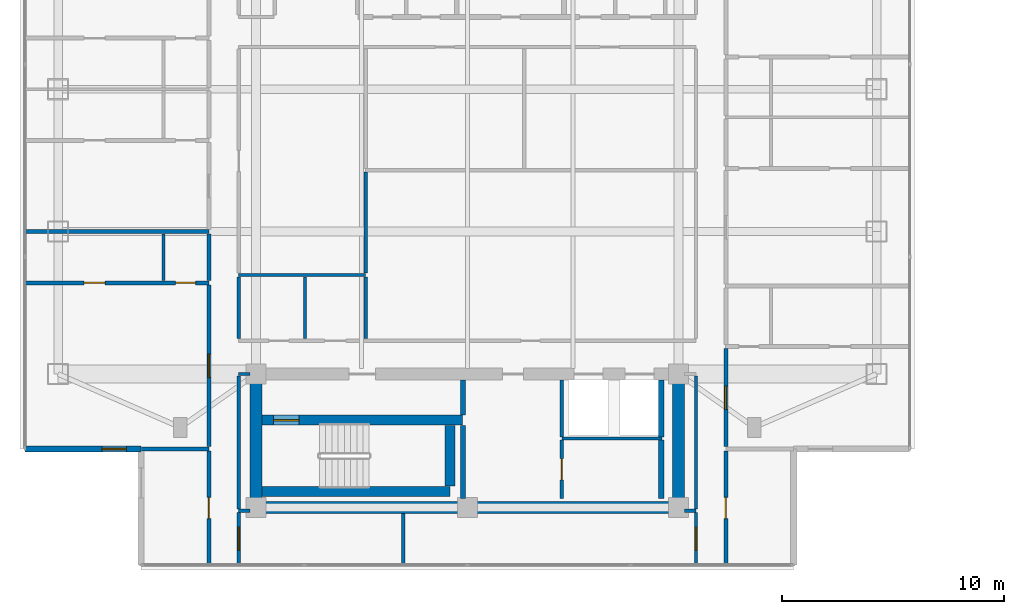
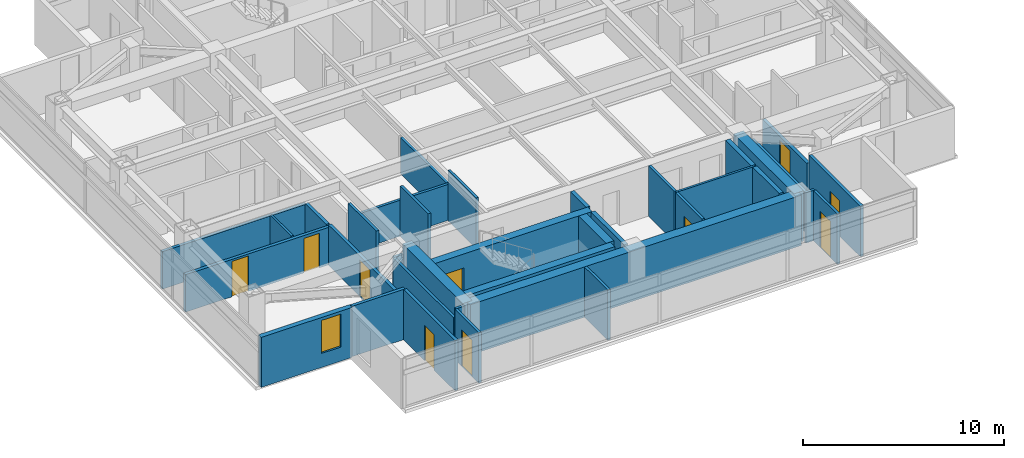
# One storey, part 12 of 24: 36 walls, 10 doors, 1 window, 11 openings.
"""IFC4 building model written with IfcOpenShell, lengths in metres."""

from ifc_helpers import new_model, si_unit, direction, frame, frame_2d, origin, place, context, subcontext, project, spatial, rectangle, extrude, material, layer, layer_set, type_object, element, fill, save


model = new_model("IFC4")

# Units and contexts
model_context = context("Model", 3, precision=1e-05, world=origin(), true_north=direction((0.0, 1.0)))
body_context = subcontext(model_context, "Body", "Model", "MODEL_VIEW")
ifc_project = project(units=[si_unit("LENGTHUNIT", "METRE"), si_unit("AREAUNIT", "SQUARE_METRE"), si_unit("VOLUMEUNIT", "CUBIC_METRE"), si_unit("PLANEANGLEUNIT", "RADIAN"), si_unit("MASSUNIT", "GRAM", prefix="KILO")], contexts=[model_context])

# Site, building, storey
site_placement = place(None, origin())
site = spatial("IfcSite", under=ifc_project, at=site_placement, CompositionType="ELEMENT")
building_placement = place(site_placement, origin())
building = spatial("IfcBuilding", under=site, at=building_placement, Name="Mirazonda Arch Towers", CompositionType="ELEMENT")
storey_placement = place(building_placement, frame((0.0, 0.0, 190.14990234375)))
storey = spatial("IfcBuildingStorey", under=building, at=storey_placement, Name="L54", CompositionType="ELEMENT", Elevation=190.14990234375)

# Wall
ifc_material_1 = material(Name="Concrete C50/60", Category="concrete")
ifc_layer_1 = layer(ifc_material_1, 0.449951171875, Name="WALL-CORE-450")
ifc_layer_set_1 = layer_set([ifc_layer_1], Name="Concrete C50/60")
wall_type_1 = type_object("IfcWallType", Name="WALL-CORE-450", PredefinedType="SHEAR", material=ifc_layer_set_1)
wall_1_placement = place(storey_placement, frame((11.27001953125, 13.1201171875, 0.0), z_axis=(0.0, 0.0, 1.0), x_axis=(1.0, 0.0, 0.0)))
element("IfcWall", 1, at=wall_1_placement, inside=storey, type_object=wall_type_1, Name="L54 Stair Core Shear Wall 003", PredefinedType="SHEAR", context=body_context, shape_type="SweptSolid", body=[
    extrude(rectangle(XDim=8.4599609375, YDim=0.449951171875, at=frame_2d((4.22998046875, 0.0))), origin(), (0.0, 0.0, 1.0), 3.050048828125),
])

# Wall, opening, door
wall_2_placement = place(storey_placement, frame((11.27001953125, 16.320068359375, 0.0), z_axis=(0.0, 0.0, 1.0), x_axis=(1.0, 0.0, 0.0)))
wall_2 = element("IfcWall", 2, at=wall_2_placement, inside=storey, type_object=wall_type_1, Name="L54 Stair Core Shear Wall 007", PredefinedType="SHEAR", context=body_context, shape_type="SweptSolid", body=[
    extrude(rectangle(XDim=9.010009765625, YDim=0.449951171875, at=frame_2d((4.5048828125, 0.0))), origin(), (0.0, 0.0, 1.0), 3.050048828125),
])
opening_1_placement = place(wall_2_placement, frame((0.52001953125, 0.0, 0.0)))
opening_1 = element("IfcOpeningElement", 3, at=opening_1_placement, cuts=wall_2, Name="Opening DR-135", PredefinedType="OPENING", context=body_context, shape_type="SweptSolid", body=[
    extrude(rectangle(XDim=1.14990234375, YDim=2.199951171875, at=frame_2d((0.574951171875, 1.10009765625))), frame((0.0, 0.23486328125, 0.0), z_axis=(0.0, -1.0, 0.0), x_axis=(1.0, 0.0, 0.0)), (0.0, 0.0, 1.0), 0.469970703125),
])
ifc_material_2 = material(Name="Architectural Brushed Steel S355", Category="steel")
door_type_1 = type_object("IfcDoorType", Name="DOOR-STAIR-FD90-1150", OperationType="NOTDEFINED", PredefinedType="DOOR", material=ifc_material_2)
door_1_placement = place(opening_1_placement, origin())
door_1 = element("IfcDoor", 4, at=door_1_placement, inside=storey, type_object=door_type_1, Name="L54 Protected Exit Stair South Door", OperationType="SINGLE_SWING_LEFT", OverallHeight=2.199951171875, OverallWidth=1.14990234375, PredefinedType="DOOR", context=body_context, shape_type="SweptSolid", body=[
    extrude(rectangle(XDim=1.14990234375, YDim=2.199951171875, at=frame_2d((0.574951171875, 1.10009765625))), frame((0.0, 0.02490234375, 0.0), z_axis=(0.0, -1.0, 0.0), x_axis=(1.0, 0.0, 0.0)), (0.0, 0.0, 1.0), 0.050048828125),
])
fill(opening_1, door_1)

# Walls
wall_3_placement = place(storey_placement, frame((19.72998046875, 13.35498046875, 0.0), z_axis=(0.0, 0.0, 1.0), x_axis=(0.0, 1.0, 0.0)))
element("IfcWall", 5, at=wall_3_placement, inside=storey, type_object=wall_type_1, Name="L54 Stair Core Shear Wall 085", PredefinedType="SHEAR", context=body_context, shape_type="SweptSolid", body=[
    extrude(rectangle(XDim=2.72998046875, YDim=0.449951171875, at=frame_2d((1.364990234375, 0.0))), origin(), (0.0, 0.0, 1.0), 3.050048828125),
])
ifc_layer_2 = layer(ifc_material_1, 0.550048828125, Name="WALL-CORE-550")
ifc_layer_set_2 = layer_set([ifc_layer_2], Name="Concrete C50/60")
wall_type_2 = type_object("IfcWallType", Name="WALL-CORE-550", PredefinedType="SHEAR", material=ifc_layer_set_2)
wall_4_placement = place(storey_placement, frame((11.0, 12.39990234375, 0.0), z_axis=(0.0, 0.0, 1.0), x_axis=(1.0, 0.0, 0.0)))
element("IfcWall", 6, at=wall_4_placement, inside=storey, type_object=wall_type_2, Name="L54 T1S-S Core Shear Wall", PredefinedType="SHEAR", context=body_context, shape_type="SweptSolid", body=[
    extrude(rectangle(XDim=19.0, YDim=0.550048828125, at=frame_2d((9.5, 0.0))), origin(), (0.0, 0.0, 1.0), 3.050048828125),
])
for number, where, z_axis, x_axis, name in (
    (7, (11.0, 12.39990234375, 0.0), (0.0, 0.0, 1.0), (0.0, 1.0, 0.0), "L54 T1S-W Core Shear Wall"),
    (8, (30.0, 12.39990234375, 0.0), (0.0, 0.0, 1.0), (0.0, 1.0, 0.0), "L54 T1S-E Core Shear Wall"),
):
    element("IfcWall", number, at=place(storey_placement, frame(where, z_axis=z_axis, x_axis=x_axis)), inside=storey, type_object=wall_type_2, Name=name, PredefinedType="SHEAR", context=body_context, shape_type="SweptSolid", body=[
        extrude(rectangle(XDim=6.0, YDim=0.550048828125, at=frame_2d((3.0, 0.0))), origin(), (0.0, 0.0, 1.0), 3.050048828125),
    ])

# Wall, opening, window
ifc_material_3 = material(Name="Precast Concrete C40/50", Category="concrete")
ifc_layer_3 = layer(ifc_material_3, 0.280029296875, Name="WALL-EXT-WALL-280")
ifc_layer_set_3 = layer_set([ifc_layer_3], Name="Precast Concrete C40/50")
wall_type_3 = type_object("IfcWallType", Name="WALL-EXT-WALL-280", PredefinedType="SOLIDWALL", material=ifc_layer_set_3)
wall_5_placement = place(storey_placement, frame((0.610107421875, 15.029052734375, 0.0), z_axis=(0.0, 0.0, 1.0), x_axis=(1.0, 0.0, 0.0)))
wall_5 = element("IfcWall", 9, at=wall_5_placement, inside=storey, type_object=wall_type_3, Name="L54 T1 Corner Notch Return Wall WL-L54-T1-CSW2", PredefinedType="SOLIDWALL", context=body_context, shape_type="SweptSolid", body=[
    extrude(rectangle(XDim=5.21484375, YDim=0.280029296875, at=frame_2d((2.607421875, 0.0))), origin(), (0.0, 0.0, 1.0), 3.030029296875),
])
opening_2_placement = place(wall_5_placement, frame((3.465087890625, 0.0, 0.85009765625)))
opening_2 = element("IfcOpeningElement", 10, at=opening_2_placement, cuts=wall_5, Name="Opening WN-108", PredefinedType="OPENING", context=body_context, shape_type="SweptSolid", body=[
    extrude(rectangle(XDim=1.10009765625, YDim=2.0, at=frame_2d((0.550048828125, 1.0))), frame((0.0, 0.14990234375, 0.0), z_axis=(0.0, -1.0, 0.0), x_axis=(1.0, 0.0, 0.0)), (0.0, 0.0, 1.0), 0.300048828125),
])
ifc_material_4 = material(Name="Insulated Low-E Solar Glass", Category="glass")
window_type = type_object("IfcWindowType", Name="WIN-NOTCH-1100x2000", PartitioningType="SINGLE_PANEL", PredefinedType="WINDOW", material=ifc_material_4)
window_placement = place(opening_2_placement, origin())
window = element("IfcWindow", 11, at=window_placement, inside=storey, type_object=window_type, Name="L54 Punched Facade Window WN-L54-T1-CSW2", OverallHeight=2.0, OverallWidth=1.10009765625, PartitioningType="SINGLE_PANEL", PredefinedType="WINDOW", context=body_context, shape_type="SweptSolid", body=[
    extrude(rectangle(XDim=1.10009765625, YDim=2.0, at=frame_2d((0.550048828125, 1.0))), frame((0.0, 0.030029296875, 0.0), z_axis=(0.0, -1.0, 0.0), x_axis=(1.0, 0.0, 0.0)), (0.0, 0.0, 1.0), 0.06005859375),
])
fill(opening_2, window)

# Walls
ifc_material_5 = material(Name="Concrete C40/50", Category="concrete")
ifc_layer_4 = layer(ifc_material_5, 0.219970703125, Name="WALL-FFL-220")
ifc_layer_set_4 = layer_set([ifc_layer_4], Name="Concrete C40/50")
wall_type_4 = type_object("IfcWallType", Name="WALL-FFL-220", PredefinedType="SOLIDWALL", material=ifc_layer_set_4)
wall_6_placement = place(storey_placement, frame((20.31494140625, 12.800048828125, 0.0), z_axis=(0.0, 0.0, 1.0), x_axis=(0.0, 1.0, 0.0)))
element("IfcWall", 12, at=wall_6_placement, inside=storey, type_object=wall_type_4, Name="L54 Interior Partition 087", PredefinedType="SOLIDWALL", context=body_context, shape_type="SweptSolid", body=[
    extrude(rectangle(XDim=3.284912109375, YDim=0.219970703125, at=frame_2d((1.642578125, 0.0))), origin(), (0.0, 0.0, 1.0), 3.050048828125),
])
wall_7_placement = place(storey_placement, frame((20.31494140625, 16.554931640625, 0.0), z_axis=(0.0, 0.0, 1.0), x_axis=(0.0, 1.0, 0.0)))
element("IfcWall", 13, at=wall_7_placement, inside=storey, type_object=wall_type_4, Name="L54 Interior Partition 088", PredefinedType="SOLIDWALL", context=body_context, shape_type="SweptSolid", body=[
    extrude(rectangle(XDim=1.574951171875, YDim=0.219970703125, at=frame_2d((0.78759765625, 0.0))), origin(), (0.0, 0.0, 1.0), 3.050048828125),
])
ifc_material_6 = material(Name="Fire-Rated Gypsum Stud Partition")
ifc_layer_5 = layer(ifc_material_6, 0.14990234375, Name="WALL-PART-CORR-150")
ifc_layer_set_5 = layer_set([ifc_layer_5], Name="Fire-Rated Gypsum Stud Partition")
wall_type_5 = type_object("IfcWallType", Name="WALL-PART-CORR-150", PredefinedType="PARTITIONING", material=ifc_layer_set_5)
for number, where, z_axis, x_axis, name in (
    (14, (10.219970703125, 12.25, 0.0), (0.0, 0.0, 1.0), (1.0, 0.0, 0.0), "L54 Interior Partition 001"),
    (15, (30.27001953125, 12.25, 0.0), (0.0, 0.0, 1.0), (1.0, 0.0, 0.0), "L54 Interior Partition 002"),
):
    element("IfcWall", number, at=place(storey_placement, frame(where, z_axis=z_axis, x_axis=x_axis)), inside=storey, type_object=wall_type_5, Name=name, PredefinedType="PARTITIONING", context=body_context, shape_type="SweptSolid", body=[
        extrude(rectangle(XDim=0.510009765625, YDim=0.14990234375, at=frame_2d((0.2548828125, 0.0))), origin(), (0.0, 0.0, 1.0), 3.050048828125),
    ])
wall_8_placement = place(storey_placement, frame((10.219970703125, 18.39990234375, 0.0), z_axis=(0.0, 0.0, 1.0), x_axis=(1.0, 0.0, 0.0)))
element("IfcWall", 16, at=wall_8_placement, inside=storey, type_object=wall_type_5, Name="L54 Interior Partition 011", PredefinedType="PARTITIONING", context=body_context, shape_type="SweptSolid", body=[
    extrude(rectangle(XDim=0.510009765625, YDim=0.14990234375, at=frame_2d((0.2548828125, 0.0))), origin(), (0.0, 0.0, 1.0), 2.442138671875),
])
wall_9_placement = place(storey_placement, frame((10.219970703125, 22.85009765625, 0.0), z_axis=(0.0, 0.0, 1.0), x_axis=(1.0, 0.0, 0.0)))
element("IfcWall", 17, at=wall_9_placement, inside=storey, type_object=wall_type_5, Name="L54 Interior Partition 024", PredefinedType="PARTITIONING", context=body_context, shape_type="SweptSolid", body=[
    extrude(rectangle(XDim=5.7099609375, YDim=0.14990234375, at=frame_2d((2.85498046875, 0.0))), origin(), (0.0, 0.0, 1.0), 2.18603515625),
])

# Wall, opening, door
wall_10_placement = place(storey_placement, frame((10.219970703125, 9.81396484375, 0.0), z_axis=(0.0, 0.0, 1.0), x_axis=(0.0, 1.0, 0.0)))
wall_10 = element("IfcWall", 18, at=wall_10_placement, inside=storey, type_object=wall_type_5, Name="L54 Interior Partition 071", PredefinedType="PARTITIONING", context=body_context, shape_type="SweptSolid", body=[
    extrude(rectangle(XDim=2.35107421875, YDim=0.14990234375, at=frame_2d((1.175537109375, 0.0))), origin(), (0.0, 0.0, 1.0), 3.050048828125),
])
opening_3_placement = place(wall_10_placement, frame((0.650390625, 0.0, 0.0)))
opening_3 = element("IfcOpeningElement", 19, at=opening_3_placement, cuts=wall_10, Name="Opening DR-121", PredefinedType="OPENING", context=body_context, shape_type="SweptSolid", body=[
    extrude(rectangle(XDim=1.050048828125, YDim=2.199951171875, at=frame_2d((0.52490234375, 1.10009765625))), frame((0.0, 0.0849609375, 0.0), z_axis=(0.0, -1.0, 0.0), x_axis=(1.0, 0.0, 0.0)), (0.0, 0.0, 1.0), 0.169921875),
])
door_type_2 = type_object("IfcDoorType", Name="DOOR-SUITE-FD60-1050", OperationType="NOTDEFINED", PredefinedType="DOOR", material=ifc_material_2)
door_2_placement = place(opening_3_placement, origin())
door_2 = element("IfcDoor", 20, at=door_2_placement, inside=storey, type_object=door_type_2, Name="L54 South Horizon Lounge Minor Door", OperationType="SINGLE_SWING_RIGHT", OverallHeight=2.199951171875, OverallWidth=1.050048828125, PredefinedType="DOOR", context=body_context, shape_type="SweptSolid", body=[
    extrude(rectangle(XDim=1.050048828125, YDim=2.199951171875, at=frame_2d((0.52490234375, 1.10009765625))), frame((0.0, 0.02490234375, 0.0), z_axis=(0.0, -1.0, 0.0), x_axis=(1.0, 0.0, 0.0)), (0.0, 0.0, 1.0), 0.050048828125),
])
fill(opening_3, door_2)

# Walls
wall_11_placement = place(storey_placement, frame((10.219970703125, 12.3349609375, 0.0), z_axis=(0.0, 0.0, 1.0), x_axis=(0.0, 1.0, 0.0)))
element("IfcWall", 21, at=wall_11_placement, inside=storey, type_object=wall_type_5, Name="L54 Interior Partition 072", PredefinedType="PARTITIONING", context=body_context, shape_type="SweptSolid", body=[
    extrude(rectangle(XDim=5.97998046875, YDim=0.14990234375, at=frame_2d((2.989990234375, 0.0))), origin(), (0.0, 0.0, 1.0), 2.442138671875),
])
for number, where, z_axis, x_axis, name in (
    (22, (10.219970703125, 19.985107421875, 0.0), (0.0, 0.0, 1.0), (0.0, 1.0, 0.0), "L54 Interior Partition 073"),
    (23, (13.199951171875, 19.985107421875, 0.0), (0.0, 0.0, 1.0), (0.0, 1.0, 0.0), "L54 Interior Partition 078"),
    (24, (15.929931640625, 19.985107421875, 0.0), (0.0, 0.0, 1.0), (0.0, 1.0, 0.0), "L54 Interior Partition 080"),
):
    element("IfcWall", number, at=place(storey_placement, frame(where, z_axis=z_axis, x_axis=x_axis)), inside=storey, type_object=wall_type_5, Name=name, PredefinedType="PARTITIONING", context=body_context, shape_type="SweptSolid", body=[
        extrude(rectangle(XDim=2.77978515625, YDim=0.14990234375, at=frame_2d((1.389892578125, 0.0))), origin(), (0.0, 0.0, 1.0), 3.050048828125),
    ])
wall_12_placement = place(storey_placement, frame((15.929931640625, 22.93505859375, 0.0), z_axis=(0.0, 0.0, 1.0), x_axis=(0.0, 1.0, 0.0)))
element("IfcWall", 25, at=wall_12_placement, inside=storey, type_object=wall_type_5, Name="L54 Interior Partition 081", PredefinedType="PARTITIONING", context=body_context, shape_type="SweptSolid", body=[
    extrude(rectangle(XDim=4.535888671875, YDim=0.14990234375, at=frame_2d((2.26806640625, 0.0))), origin(), (0.0, 0.0, 1.0), 2.18603515625),
])
wall_13_placement = place(storey_placement, frame((17.6220703125, 9.81396484375, 0.0), z_axis=(0.0, 0.0, 1.0), x_axis=(0.0, 1.0, 0.0)))
element("IfcWall", 26, at=wall_13_placement, inside=storey, type_object=wall_type_5, Name="L54 Interior Partition 083", PredefinedType="PARTITIONING", context=body_context, shape_type="SweptSolid", body=[
    extrude(rectangle(XDim=2.31591796875, YDim=0.14990234375, at=frame_2d((1.157958984375, 0.0))), origin(), (0.0, 0.0, 1.0), 3.050048828125),
])

# Wall, opening, door
wall_14_placement = place(storey_placement, frame((24.75, 12.800048828125, 0.0), z_axis=(0.0, 0.0, 1.0), x_axis=(0.0, 1.0, 0.0)))
wall_14 = element("IfcWall", 27, at=wall_14_placement, inside=storey, type_object=wall_type_5, Name="L54 Interior Partition 091", PredefinedType="PARTITIONING", context=body_context, shape_type="SweptSolid", body=[
    extrude(rectangle(XDim=2.62744140625, YDim=0.14990234375, at=frame_2d((1.313720703125, 0.0))), origin(), (0.0, 0.0, 1.0), 3.050048828125),
])
opening_4_placement = place(wall_14_placement, frame((0.838623046875, 0.0, 0.0)))
opening_4 = element("IfcOpeningElement", 28, at=opening_4_placement, cuts=wall_14, Name="Opening DR-104", PredefinedType="OPENING", context=body_context, shape_type="SweptSolid", body=[
    extrude(rectangle(XDim=0.949951171875, YDim=2.14990234375, at=frame_2d((0.47509765625, 1.074951171875))), frame((0.0, 0.0849609375, 0.0), z_axis=(0.0, -1.0, 0.0), x_axis=(1.0, 0.0, 0.0)), (0.0, 0.0, 1.0), 0.169921875),
])
door_type_3 = type_object("IfcDoorType", Name="DOOR-ROOM-950", OperationType="NOTDEFINED", PredefinedType="DOOR", material=ifc_material_2)
door_3_placement = place(opening_4_placement, origin())
door_3 = element("IfcDoor", 29, at=door_3_placement, inside=storey, type_object=door_type_3, Name="L54 Residents Private Archive Study Door", OperationType="SINGLE_SWING_LEFT", OverallHeight=2.14990234375, OverallWidth=0.949951171875, PredefinedType="DOOR", context=body_context, shape_type="SweptSolid", body=[
    extrude(rectangle(XDim=0.949951171875, YDim=2.14990234375, at=frame_2d((0.47509765625, 1.074951171875))), frame((0.0, 0.02490234375, 0.0), z_axis=(0.0, -1.0, 0.0), x_axis=(1.0, 0.0, 0.0)), (0.0, 0.0, 1.0), 0.050048828125),
])
fill(opening_4, door_3)

# Wall
wall_15_placement = place(storey_placement, frame((24.75, 15.572509765625, 0.0), z_axis=(0.0, 0.0, 1.0), x_axis=(0.0, 1.0, 0.0)))
element("IfcWall", 30, at=wall_15_placement, inside=storey, type_object=wall_type_5, Name="L54 Interior Partition 092", PredefinedType="PARTITIONING", context=body_context, shape_type="SweptSolid", body=[
    extrude(rectangle(XDim=2.557373046875, YDim=0.14990234375, at=frame_2d((1.27880859375, 0.0))), origin(), (0.0, 0.0, 1.0), 3.050048828125),
])

# Wall, opening, door
wall_16_placement = place(storey_placement, frame((30.780029296875, 9.81396484375, 0.0), z_axis=(0.0, 0.0, 1.0), x_axis=(0.0, 1.0, 0.0)))
wall_16 = element("IfcWall", 31, at=wall_16_placement, inside=storey, type_object=wall_type_5, Name="L54 Interior Partition 102", PredefinedType="PARTITIONING", context=body_context, shape_type="SweptSolid", body=[
    extrude(rectangle(XDim=2.35107421875, YDim=0.14990234375, at=frame_2d((1.175537109375, 0.0))), origin(), (0.0, 0.0, 1.0), 3.050048828125),
])
opening_5_placement = place(wall_16_placement, frame((0.650390625, 0.0, 0.0)))
opening_5 = element("IfcOpeningElement", 32, at=opening_5_placement, cuts=wall_16, Name="Opening DR-121", PredefinedType="OPENING", context=body_context, shape_type="SweptSolid", body=[
    extrude(rectangle(XDim=1.050048828125, YDim=2.199951171875, at=frame_2d((0.52490234375, 1.10009765625))), frame((0.0, 0.0849609375, 0.0), z_axis=(0.0, -1.0, 0.0), x_axis=(1.0, 0.0, 0.0)), (0.0, 0.0, 1.0), 0.169921875),
])
door_4_placement = place(opening_5_placement, origin())
door_4 = element("IfcDoor", 33, at=door_4_placement, inside=storey, type_object=door_type_2, Name="L54 South Horizon Lounge Grand Door", OperationType="SINGLE_SWING_LEFT", OverallHeight=2.199951171875, OverallWidth=1.050048828125, PredefinedType="DOOR", context=body_context, shape_type="SweptSolid", body=[
    extrude(rectangle(XDim=1.050048828125, YDim=2.199951171875, at=frame_2d((0.52490234375, 1.10009765625))), frame((0.0, 0.02490234375, 0.0), z_axis=(0.0, -1.0, 0.0), x_axis=(1.0, 0.0, 0.0)), (0.0, 0.0, 1.0), 0.050048828125),
])
fill(opening_5, door_4)

# Walls
wall_17_placement = place(storey_placement, frame((30.780029296875, 12.3349609375, 0.0), z_axis=(0.0, 0.0, 1.0), x_axis=(0.0, 1.0, 0.0)))
element("IfcWall", 34, at=wall_17_placement, inside=storey, type_object=wall_type_5, Name="L54 Interior Partition 103", PredefinedType="PARTITIONING", context=body_context, shape_type="SweptSolid", body=[
    extrude(rectangle(XDim=5.97998046875, YDim=0.14990234375, at=frame_2d((2.989990234375, 0.0))), origin(), (0.0, 0.0, 1.0), 2.442138671875),
])
ifc_material_7 = material(Name="Fire-Rated Gypsum Twin-Stud Assembly")
ifc_layer_6 = layer(ifc_material_7, 0.179931640625, Name="WALL-PART-DEMISE-180")
ifc_layer_set_6 = layer_set([ifc_layer_6], Name="Fire-Rated Gypsum Twin-Stud Assembly")
wall_type_6 = type_object("IfcWallType", Name="WALL-PART-DEMISE-180", PredefinedType="PARTITIONING", material=ifc_layer_set_6)
wall_18_placement = place(storey_placement, frame((5.844970703125, 15.029052734375, 0.0), z_axis=(0.0, 0.0, 1.0), x_axis=(1.0, 0.0, 0.0)))
element("IfcWall", 35, at=wall_18_placement, inside=storey, type_object=wall_type_6, Name="L54 Interior Partition 004", PredefinedType="PARTITIONING", context=body_context, shape_type="SweptSolid", body=[
    extrude(rectangle(XDim=3.034912109375, YDim=0.179931640625, at=frame_2d((1.517578125, 0.0))), origin(), (0.0, 0.0, 1.0), 3.050048828125),
])

# Wall, openings, doors
wall_19_placement = place(storey_placement, frame((0.610107421875, 22.5, 0.0), z_axis=(0.0, 0.0, 1.0), x_axis=(1.0, 0.0, 0.0)))
wall_19 = element("IfcWall", 36, at=wall_19_placement, inside=storey, type_object=wall_type_6, Name="L54 Interior Partition 020", PredefinedType="PARTITIONING", context=body_context, shape_type="SweptSolid", body=[
    extrude(rectangle(XDim=8.269775390625, YDim=0.179931640625, at=frame_2d((4.134765625, 0.0))), origin(), (0.0, 0.0, 1.0), 2.26904296875),
])
opening_6_placement = place(wall_19_placement, frame((2.659912109375, 0.0, 0.0)))
opening_6 = element("IfcOpeningElement", 37, at=opening_6_placement, cuts=wall_19, Name="Opening DR-104", PredefinedType="OPENING", context=body_context, shape_type="SweptSolid", body=[
    extrude(rectangle(XDim=0.949951171875, YDim=2.14990234375, at=frame_2d((0.47509765625, 1.074951171875))), frame((0.0, 0.099853515625, 0.0), z_axis=(0.0, -1.0, 0.0), x_axis=(1.0, 0.0, 0.0)), (0.0, 0.0, 1.0), 0.199951171875),
])
opening_7_placement = place(wall_19_placement, frame((6.780029296875, 0.0, 0.0)))
opening_7 = element("IfcOpeningElement", 38, at=opening_7_placement, cuts=wall_19, Name="Opening DR-120", PredefinedType="OPENING", context=body_context, shape_type="SweptSolid", body=[
    extrude(rectangle(XDim=0.89990234375, YDim=2.10009765625, at=frame_2d((0.449951171875, 1.050048828125))), frame((0.0, 0.099853515625, 0.0), z_axis=(0.0, -1.0, 0.0), x_axis=(1.0, 0.0, 0.0)), (0.0, 0.0, 1.0), 0.199951171875),
])
door_5_placement = place(opening_6_placement, origin())
door_5 = element("IfcDoor", 39, at=door_5_placement, inside=storey, type_object=door_type_3, Name="L54 Guestroom Study 1 Door", OperationType="SINGLE_SWING_RIGHT", OverallHeight=2.14990234375, OverallWidth=0.949951171875, PredefinedType="DOOR", context=body_context, shape_type="SweptSolid", body=[
    extrude(rectangle(XDim=0.949951171875, YDim=2.14990234375, at=frame_2d((0.47509765625, 1.074951171875))), frame((0.0, 0.02490234375, 0.0), z_axis=(0.0, -1.0, 0.0), x_axis=(1.0, 0.0, 0.0)), (0.0, 0.0, 1.0), 0.050048828125),
])
fill(opening_6, door_5)
door_type_4 = type_object("IfcDoorType", Name="DOOR-WC-900", OperationType="NOTDEFINED", PredefinedType="DOOR", material=ifc_material_2)
door_6_placement = place(opening_7_placement, origin())
door_6 = element("IfcDoor", 40, at=door_6_placement, inside=storey, type_object=door_type_4, Name="L54 En-Suite Bathroom 1 Door", OperationType="SINGLE_SWING_LEFT", OverallHeight=2.10009765625, OverallWidth=0.89990234375, PredefinedType="DOOR", context=body_context, shape_type="SweptSolid", body=[
    extrude(rectangle(XDim=0.89990234375, YDim=2.10009765625, at=frame_2d((0.449951171875, 1.050048828125))), frame((0.0, 0.02490234375, 0.0), z_axis=(0.0, -1.0, 0.0), x_axis=(1.0, 0.0, 0.0)), (0.0, 0.0, 1.0), 0.050048828125),
])
fill(opening_7, door_6)

# Wall
wall_20_placement = place(storey_placement, frame((0.610107421875, 24.800048828125, 0.0), z_axis=(0.0, 0.0, 1.0), x_axis=(1.0, 0.0, 0.0)))
element("IfcWall", 41, at=wall_20_placement, inside=storey, type_object=wall_type_6, Name="L54 Interior Partition 026", PredefinedType="PARTITIONING", context=body_context, shape_type="SweptSolid", body=[
    extrude(rectangle(XDim=8.269775390625, YDim=0.179931640625, at=frame_2d((4.134765625, 0.0))), origin(), (0.0, 0.0, 1.0), 2.26904296875),
])

# Wall, opening, door
wall_21_placement = place(storey_placement, frame((8.8798828125, 9.81396484375, 0.0), z_axis=(0.0, 0.0, 1.0), x_axis=(0.0, 1.0, 0.0)))
wall_21 = element("IfcWall", 42, at=wall_21_placement, inside=storey, type_object=wall_type_6, Name="L54 Interior Partition 063", PredefinedType="PARTITIONING", context=body_context, shape_type="SweptSolid", body=[
    extrude(rectangle(XDim=5.114990234375, YDim=0.179931640625, at=frame_2d((2.5576171875, 0.0))), origin(), (0.0, 0.0, 1.0), 3.050048828125),
])
opening_8_placement = place(wall_21_placement, frame((2.08251953125, 0.0, 0.0)))
opening_8 = element("IfcOpeningElement", 43, at=opening_8_placement, cuts=wall_21, Name="Opening DR-104", PredefinedType="OPENING", context=body_context, shape_type="SweptSolid", body=[
    extrude(rectangle(XDim=0.949951171875, YDim=2.14990234375, at=frame_2d((0.47509765625, 1.074951171875))), frame((0.0, 0.099853515625, 0.0), z_axis=(0.0, -1.0, 0.0), x_axis=(1.0, 0.0, 0.0)), (0.0, 0.0, 1.0), 0.199951171875),
])
door_7_placement = place(opening_8_placement, origin())
door_7 = element("IfcDoor", 44, at=door_7_placement, inside=storey, type_object=door_type_3, Name="L54 South Horizon Lounge Alcove West Door", OperationType="SINGLE_SWING_RIGHT", OverallHeight=2.14990234375, OverallWidth=0.949951171875, PredefinedType="DOOR", context=body_context, shape_type="SweptSolid", body=[
    extrude(rectangle(XDim=0.949951171875, YDim=2.14990234375, at=frame_2d((0.47509765625, 1.074951171875))), frame((0.0, 0.02490234375, 0.0), z_axis=(0.0, -1.0, 0.0), x_axis=(1.0, 0.0, 0.0)), (0.0, 0.0, 1.0), 0.050048828125),
])
fill(opening_8, door_7)

wall_22_placement = place(storey_placement, frame((8.8798828125, 15.12890625, 0.0), z_axis=(0.0, 0.0, 1.0), x_axis=(0.0, 1.0, 0.0)))
wall_22 = element("IfcWall", 45, at=wall_22_placement, inside=storey, type_object=wall_type_6, Name="L54 Interior Partition 064", PredefinedType="PARTITIONING", context=body_context, shape_type="SweptSolid", body=[
    extrude(rectangle(XDim=7.27099609375, YDim=0.179931640625, at=frame_2d((3.635498046875, 0.0))), origin(), (0.0, 0.0, 1.0), 2.442138671875),
])
opening_9_placement = place(wall_22_placement, frame((3.110595703125, 0.0, 0.0)))
opening_9 = element("IfcOpeningElement", 46, at=opening_9_placement, cuts=wall_22, Name="Opening DR-121", PredefinedType="OPENING", context=body_context, shape_type="SweptSolid", body=[
    extrude(rectangle(XDim=1.050048828125, YDim=2.199951171875, at=frame_2d((0.52490234375, 1.10009765625))), frame((0.0, 0.099853515625, 0.0), z_axis=(0.0, -1.0, 0.0), x_axis=(1.0, 0.0, 0.0)), (0.0, 0.0, 1.0), 0.199951171875),
])
door_8_placement = place(opening_9_placement, origin())
door_8 = element("IfcDoor", 47, at=door_8_placement, inside=storey, type_object=door_type_2, Name="L54 King Hotel Guestroom 1 Door", OperationType="SINGLE_SWING_LEFT", OverallHeight=2.199951171875, OverallWidth=1.050048828125, PredefinedType="DOOR", context=body_context, shape_type="SweptSolid", body=[
    extrude(rectangle(XDim=1.050048828125, YDim=2.199951171875, at=frame_2d((0.52490234375, 1.10009765625))), frame((0.0, 0.02490234375, 0.0), z_axis=(0.0, -1.0, 0.0), x_axis=(1.0, 0.0, 0.0)), (0.0, 0.0, 1.0), 0.050048828125),
])
fill(opening_9, door_8)

# Wall
wall_23_placement = place(storey_placement, frame((8.8798828125, 22.60009765625, 0.0), z_axis=(0.0, 0.0, 1.0), x_axis=(0.0, 1.0, 0.0)))
element("IfcWall", 48, at=wall_23_placement, inside=storey, type_object=wall_type_6, Name="L54 Interior Partition 065", PredefinedType="PARTITIONING", context=body_context, shape_type="SweptSolid", body=[
    extrude(rectangle(XDim=2.099853515625, YDim=0.179931640625, at=frame_2d((1.0498046875, 0.0))), origin(), (0.0, 0.0, 1.0), 2.34619140625),
])

# Wall, opening, door
wall_24_placement = place(storey_placement, frame((32.1201171875, 9.81396484375, 0.0), z_axis=(0.0, 0.0, 1.0), x_axis=(0.0, 1.0, 0.0)))
wall_24 = element("IfcWall", 49, at=wall_24_placement, inside=storey, type_object=wall_type_6, Name="L54 Interior Partition 108", PredefinedType="PARTITIONING", context=body_context, shape_type="SweptSolid", body=[
    extrude(rectangle(XDim=5.114990234375, YDim=0.179931640625, at=frame_2d((2.5576171875, 0.0))), origin(), (0.0, 0.0, 1.0), 3.050048828125),
])
opening_10_placement = place(wall_24_placement, frame((2.08251953125, 0.0, 0.0)))
opening_10 = element("IfcOpeningElement", 50, at=opening_10_placement, cuts=wall_24, Name="Opening DR-104", PredefinedType="OPENING", context=body_context, shape_type="SweptSolid", body=[
    extrude(rectangle(XDim=0.949951171875, YDim=2.14990234375, at=frame_2d((0.47509765625, 1.074951171875))), frame((0.0, 0.099853515625, 0.0), z_axis=(0.0, -1.0, 0.0), x_axis=(1.0, 0.0, 0.0)), (0.0, 0.0, 1.0), 0.199951171875),
])
door_9_placement = place(opening_10_placement, origin())
door_9 = element("IfcDoor", 51, at=door_9_placement, inside=storey, type_object=door_type_3, Name="L54 South Horizon Lounge Alcove East Door", OperationType="SINGLE_SWING_LEFT", OverallHeight=2.14990234375, OverallWidth=0.949951171875, PredefinedType="DOOR", context=body_context, shape_type="SweptSolid", body=[
    extrude(rectangle(XDim=0.949951171875, YDim=2.14990234375, at=frame_2d((0.47509765625, 1.074951171875))), frame((0.0, 0.02490234375, 0.0), z_axis=(0.0, -1.0, 0.0), x_axis=(1.0, 0.0, 0.0)), (0.0, 0.0, 1.0), 0.050048828125),
])
fill(opening_10, door_9)

wall_25_placement = place(storey_placement, frame((32.1201171875, 15.12890625, 0.0), z_axis=(0.0, 0.0, 1.0), x_axis=(0.0, 1.0, 0.0)))
wall_25 = element("IfcWall", 52, at=wall_25_placement, inside=storey, type_object=wall_type_6, Name="L54 Interior Partition 109", PredefinedType="PARTITIONING", context=body_context, shape_type="SweptSolid", body=[
    extrude(rectangle(XDim=4.406005859375, YDim=0.179931640625, at=frame_2d((2.203125, 0.0))), origin(), (0.0, 0.0, 1.0), 2.442138671875),
])
opening_11_placement = place(wall_25_placement, frame((1.677978515625, 0.0, 0.0)))
opening_11 = element("IfcOpeningElement", 53, at=opening_11_placement, cuts=wall_25, Name="Opening DR-121", PredefinedType="OPENING", context=body_context, shape_type="SweptSolid", body=[
    extrude(rectangle(XDim=1.050048828125, YDim=2.199951171875, at=frame_2d((0.52490234375, 1.10009765625))), frame((0.0, 0.099853515625, 0.0), z_axis=(0.0, -1.0, 0.0), x_axis=(1.0, 0.0, 0.0)), (0.0, 0.0, 1.0), 0.199951171875),
])
door_10_placement = place(opening_11_placement, origin())
door_10 = element("IfcDoor", 54, at=door_10_placement, inside=storey, type_object=door_type_2, Name="L54 King Hotel Guestroom 1 Door", OperationType="SINGLE_SWING_RIGHT", OverallHeight=2.199951171875, OverallWidth=1.050048828125, PredefinedType="DOOR", context=body_context, shape_type="SweptSolid", body=[
    extrude(rectangle(XDim=1.050048828125, YDim=2.199951171875, at=frame_2d((0.52490234375, 1.10009765625))), frame((0.0, 0.02490234375, 0.0), z_axis=(0.0, -1.0, 0.0), x_axis=(1.0, 0.0, 0.0)), (0.0, 0.0, 1.0), 0.050048828125),
])
fill(opening_11, door_10)

# Walls
ifc_material_8 = material(Name="Acoustic Fire-Rated Gypsum Partition")
ifc_layer_7 = layer(ifc_material_8, 0.125, Name="WALL-PART-UNIT-125")
ifc_layer_set_7 = layer_set([ifc_layer_7], Name="Acoustic Fire-Rated Gypsum Partition")
wall_type_7 = type_object("IfcWallType", Name="WALL-PART-UNIT-125", PredefinedType="PARTITIONING", material=ifc_layer_set_7)
wall_26_placement = place(storey_placement, frame((24.75, 15.5, 0.0), z_axis=(0.0, 0.0, 1.0), x_axis=(1.0, 0.0, 0.0)))
element("IfcWall", 55, at=wall_26_placement, inside=storey, type_object=wall_type_7, Name="L54 Interior Partition 006", PredefinedType="PARTITIONING", context=body_context, shape_type="SweptSolid", body=[
    extrude(rectangle(XDim=4.5, YDim=0.125, at=frame_2d((2.25, 0.0))), origin(), (0.0, 0.0, 1.0), 3.050048828125),
])
wall_27_placement = place(storey_placement, frame((6.840087890625, 22.60009765625, 0.0), z_axis=(0.0, 0.0, 1.0), x_axis=(0.0, 1.0, 0.0)))
element("IfcWall", 56, at=wall_27_placement, inside=storey, type_object=wall_type_7, Name="L54 Interior Partition 060", PredefinedType="PARTITIONING", context=body_context, shape_type="SweptSolid", body=[
    extrude(rectangle(XDim=2.099853515625, YDim=0.125, at=frame_2d((1.0498046875, 0.0))), origin(), (0.0, 0.0, 1.0), 2.34619140625),
])
ifc_layer_8 = layer(ifc_material_5, 0.25, Name="WALL-SHAFT-250")
ifc_layer_set_8 = layer_set([ifc_layer_8], Name="Concrete C40/50")
wall_type_8 = type_object("IfcWallType", Name="WALL-SHAFT-250", PredefinedType="SOLIDWALL", material=ifc_layer_set_8)
wall_28_placement = place(storey_placement, frame((29.22509765625, 12.800048828125, 0.0), z_axis=(0.0, 0.0, 1.0), x_axis=(0.0, 1.0, 0.0)))
element("IfcWall", 57, at=wall_28_placement, inside=storey, type_object=wall_type_8, Name="L54 Interior Partition 098", PredefinedType="SOLIDWALL", context=body_context, shape_type="SweptSolid", body=[
    extrude(rectangle(XDim=2.62744140625, YDim=0.25, at=frame_2d((1.313720703125, 0.0))), origin(), (0.0, 0.0, 1.0), 3.050048828125),
])
wall_29_placement = place(storey_placement, frame((29.22509765625, 15.572509765625, 0.0), z_axis=(0.0, 0.0, 1.0), x_axis=(0.0, 1.0, 0.0)))
element("IfcWall", 58, at=wall_29_placement, inside=storey, type_object=wall_type_8, Name="L54 Interior Partition 099", PredefinedType="SOLIDWALL", context=body_context, shape_type="SweptSolid", body=[
    extrude(rectangle(XDim=2.557373046875, YDim=0.25, at=frame_2d((1.27880859375, 0.0))), origin(), (0.0, 0.0, 1.0), 3.050048828125),
])

save(model, "model.ifc")
